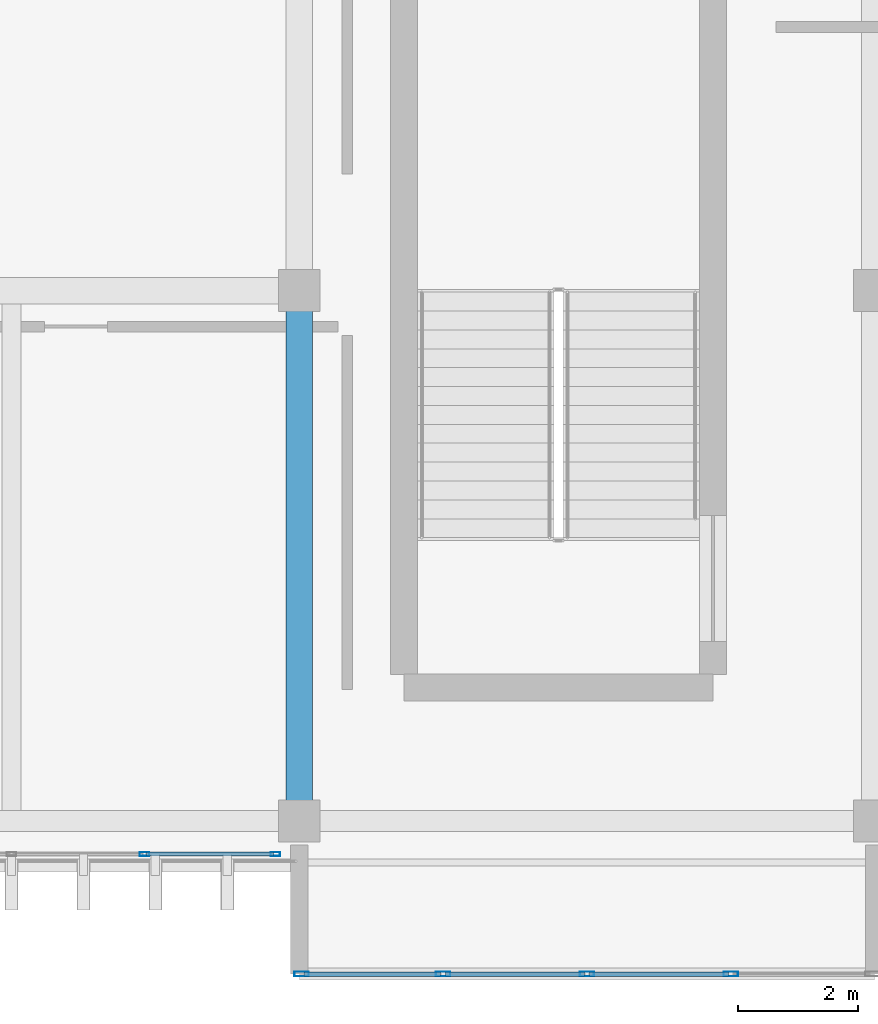
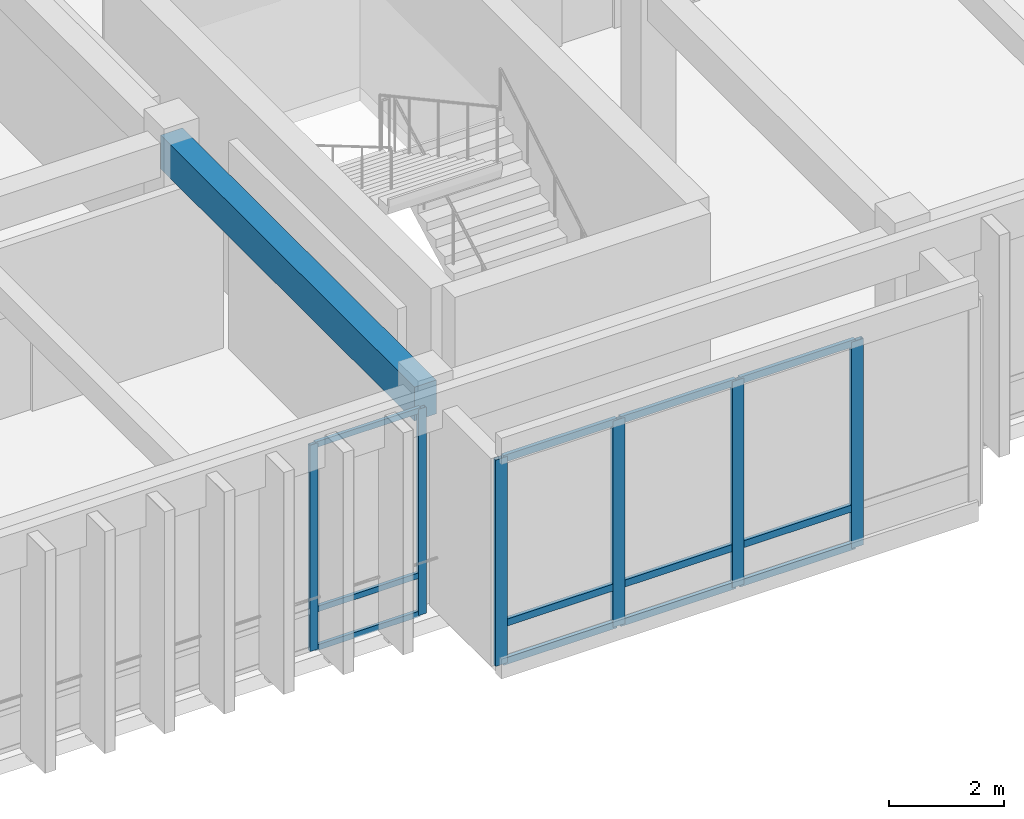
# One storey, part 17 of 133: 18 members, 1 beam, 2 elements without a shape of their own.
"""IFC4 building model written with IfcOpenShell, lengths in metres."""

from ifc_helpers import new_model, si_unit, direction, frame, origin, origin_2d, place, context, subcontext, project, spatial, rectangle, hollow_rectangle, extrude, material, layer, layer_set, material_profile, profile_set, type_object, element, aggregate, save


model = new_model("IFC4")

# Units and contexts
model_context = context("Model", 3, precision=1e-05, world=origin(), true_north=direction((0.0, 1.0)))
body_context = subcontext(model_context, "Body", "Model", "MODEL_VIEW")
ifc_project = project(units=[si_unit("LENGTHUNIT", "METRE"), si_unit("AREAUNIT", "SQUARE_METRE"), si_unit("VOLUMEUNIT", "CUBIC_METRE"), si_unit("PLANEANGLEUNIT", "RADIAN"), si_unit("MASSUNIT", "GRAM", prefix="KILO")], contexts=[model_context])

# Site, building, storey
site_placement = place(None, origin())
site = spatial("IfcSite", under=ifc_project, at=site_placement, CompositionType="ELEMENT")
building_placement = place(site_placement, origin())
building = spatial("IfcBuilding", under=site, at=building_placement, Name="Nakhvara Creek Congress Hotel", CompositionType="ELEMENT")
storey_placement = place(building_placement, frame((0.0, 0.0, 11.39990234375)))
storey = spatial("IfcBuildingStorey", under=building, at=storey_placement, Name="L02", CompositionType="ELEMENT", Elevation=11.39990234375)

# Beam
ifc_material_1 = material(Name="Concrete C40/50", Category="concrete")
ifc_material_profile_1 = material_profile(ifc_material_1, rectangle(XDim=0.43994140625, YDim=0.719970703125, at=origin_2d()), Name="RC-BM 440x720", Category="LoadBearing")
ifc_profile_set_1 = profile_set([ifc_material_profile_1], Name="Concrete C40/50")
beam_type = type_object("IfcBeamType", Name="BM-RC-440X720", PredefinedType="BEAM", material=ifc_profile_set_1)
beam_placement = place(storey_placement, frame((115.199951171875, 0.75, 4.06005859375), z_axis=(0.0, 1.0, 0.0), x_axis=(-1.0, 0.0, 0.0)))
element("IfcBeam", 1, at=beam_placement, inside=storey, type_object=beam_type, Name="Beam B12-L02-1505", PredefinedType="BEAM", context=body_context, shape_type="SweptSolid", body=[
    extrude(rectangle(XDim=0.43994140625, YDim=0.719970703125, at=origin_2d()), origin(), (0.0, 0.0, 1.0), 8.85009765625),
])

# Curtain wall, members
ifc_material_2 = material(Name="Bronze-anodised aluminium AW-6063-T6 and double-silver low-E glass", Category="aluminium")
ifc_layer_1 = layer(ifc_material_2, 0.199951171875)
ifc_layer_set_1 = layer_set([ifc_layer_1], Name="Bronze-anodised aluminium AW-6063-T6 and double-silver low-E glass")
curtain_wall_type_1 = type_object("IfcCurtainWallType", Name="CW-SPA-STICK", PredefinedType="NOTDEFINED", material=ifc_layer_set_1)
curtain_wall_1_placement = place(storey_placement, origin())
curtain_wall_1 = element("IfcCurtainWall", 2, at=curtain_wall_1_placement, inside=storey, type_object=curtain_wall_type_1, Name="Curtain Wall CW095", PredefinedType="NOTDEFINED")
ifc_material_3 = material(Name="Bronze-anodised aluminium AW-6063-T6", Category="aluminium")
ifc_material_profile_2 = material_profile(ifc_material_3, hollow_rectangle(XDim=0.06494140625, YDim=0.159912109375, WallThickness=0.00390625, at=origin_2d()), Name="ALU-MULL 65x160x4", Category="LoadBearing")
ifc_profile_set_2 = profile_set([ifc_material_profile_2], Name="Bronze-anodised aluminium AW-6063-T6")
member_type_1 = type_object("IfcMemberType", Name="CW-MULL-160", PredefinedType="MULLION", material=ifc_profile_set_2)
member_1_placement = place(storey_placement, frame((114.802490234375, 0.199951171875, 0.0), z_axis=(0.0, 0.0, 1.0), x_axis=(0.0, -1.0, 0.0)))
member_1 = element("IfcMember", 3, at=member_1_placement, type_object=member_type_1, Name="CW095 mullion 1", PredefinedType="MULLION", context=body_context, shape_type="SweptSolid", body=[
    extrude(hollow_rectangle(XDim=0.06494140625, YDim=0.159912109375, WallThickness=0.00390625, at=origin_2d()), origin(), (0.0, 0.0, 1.0), 4.39013671875),
])
member_2_placement = place(storey_placement, frame((112.617431640625, 0.199951171875, 0.0), z_axis=(0.0, 0.0, 1.0), x_axis=(0.0, -1.0, 0.0)))
member_2 = element("IfcMember", 4, at=member_2_placement, type_object=member_type_1, Name="CW095 mullion 2", PredefinedType="MULLION", context=body_context, shape_type="SweptSolid", body=[
    extrude(hollow_rectangle(XDim=0.06494140625, YDim=0.159912109375, WallThickness=0.00390625, at=origin_2d()), origin(), (0.0, 0.0, 1.0), 4.39013671875),
])

ifc_layer_2 = layer(ifc_material_2, 0.219970703125)
ifc_layer_set_2 = layer_set([ifc_layer_2], Name="Bronze-anodised aluminium AW-6063-T6 and double-silver low-E glass")
curtain_wall_type_2 = type_object("IfcCurtainWallType", Name="CW-BOX-PROJ", PredefinedType="USERDEFINED", material=ifc_layer_set_2)
curtain_wall_2_placement = place(storey_placement, origin())
curtain_wall_2 = element("IfcCurtainWall", 5, at=curtain_wall_2_placement, inside=storey, type_object=curtain_wall_type_2, Name="Curtain Wall CW089", ObjectType="UNITISED", PredefinedType="USERDEFINED")
ifc_material_profile_3 = material_profile(ifc_material_3, hollow_rectangle(XDim=0.080078125, YDim=0.239990234375, WallThickness=0.0048828125, at=origin_2d()), Name="ALU-MULL 80x240x5", Category="LoadBearing")
ifc_profile_set_3 = profile_set([ifc_material_profile_3], Name="Bronze-anodised aluminium AW-6063-T6")
member_type_2 = type_object("IfcMemberType", Name="CW-MULL-240", PredefinedType="MULLION", material=ifc_profile_set_3)
member_3_placement = place(storey_placement, frame((122.39990234375, -1.800048828125, 0.0), z_axis=(0.0, 0.0, 1.0), x_axis=(0.0, -1.0, 0.0)))
member_3 = element("IfcMember", 6, at=member_3_placement, type_object=member_type_2, Name="CW089 mullion 2", PredefinedType="MULLION", context=body_context, shape_type="SweptSolid", body=[
    extrude(hollow_rectangle(XDim=0.080078125, YDim=0.239990234375, WallThickness=0.0048828125, at=origin_2d()), origin(), (0.0, 0.0, 1.0), 4.39013671875),
])
member_4_placement = place(storey_placement, frame((120.0, -1.800048828125, 0.0), z_axis=(0.0, 0.0, 1.0), x_axis=(0.0, -1.0, 0.0)))
member_4 = element("IfcMember", 7, at=member_4_placement, type_object=member_type_2, Name="CW089 mullion 3", PredefinedType="MULLION", context=body_context, shape_type="SweptSolid", body=[
    extrude(hollow_rectangle(XDim=0.080078125, YDim=0.239990234375, WallThickness=0.0048828125, at=origin_2d()), origin(), (0.0, 0.0, 1.0), 4.39013671875),
])
member_5_placement = place(storey_placement, frame((117.60009765625, -1.800048828125, 0.0), z_axis=(0.0, 0.0, 1.0), x_axis=(0.0, -1.0, 0.0)))
member_5 = element("IfcMember", 8, at=member_5_placement, type_object=member_type_2, Name="CW089 mullion 4", PredefinedType="MULLION", context=body_context, shape_type="SweptSolid", body=[
    extrude(hollow_rectangle(XDim=0.080078125, YDim=0.239990234375, WallThickness=0.0048828125, at=origin_2d()), origin(), (0.0, 0.0, 1.0), 4.39013671875),
])
member_6_placement = place(storey_placement, frame((115.239990234375, -1.800048828125, 0.0), z_axis=(0.0, 0.0, 1.0), x_axis=(0.0, -1.0, 0.0)))
member_6 = element("IfcMember", 9, at=member_6_placement, type_object=member_type_2, Name="CW089 mullion 5", PredefinedType="MULLION", context=body_context, shape_type="SweptSolid", body=[
    extrude(hollow_rectangle(XDim=0.080078125, YDim=0.239990234375, WallThickness=0.0048828125, at=origin_2d()), origin(), (0.0, 0.0, 1.0), 4.39013671875),
])

# Member
ifc_material_profile_4 = material_profile(ifc_material_3, hollow_rectangle(XDim=0.06494140625, YDim=0.1201171875, WallThickness=0.00390625, at=origin_2d()), Name="ALU-TRAN 65x120x4", Category="LoadBearing")
ifc_profile_set_4 = profile_set([ifc_material_profile_4], Name="Bronze-anodised aluminium AW-6063-T6")
member_type_3 = type_object("IfcMemberType", Name="CW-TRAN-120", PredefinedType="USERDEFINED", material=ifc_profile_set_4)
member_7_placement = place(storey_placement, frame((114.77001953125, 0.199951171875, 0.03271484375), z_axis=(-1.0, 0.0, 0.0), x_axis=(0.0, -1.0, 0.0)))
member_7 = element("IfcMember", 10, at=member_7_placement, type_object=member_type_3, Name="CW095 transom 1.1", ObjectType="TRANSOM", PredefinedType="USERDEFINED", context=body_context, shape_type="SweptSolid", body=[
    extrude(hollow_rectangle(XDim=0.06494140625, YDim=0.1201171875, WallThickness=0.00390625, at=origin_2d()), origin(), (0.0, 0.0, 1.0), 2.1201171875),
])

member_8_placement = place(storey_placement, frame((114.77001953125, 0.199951171875, 0.85009765625), z_axis=(-1.0, 0.0, 0.0), x_axis=(0.0, -1.0, 0.0)))
member_8 = element("IfcMember", 11, at=member_8_placement, type_object=member_type_3, Name="CW095 transom 1.2", ObjectType="TRANSOM", PredefinedType="USERDEFINED", context=body_context, shape_type="SweptSolid", body=[
    extrude(hollow_rectangle(XDim=0.06494140625, YDim=0.1201171875, WallThickness=0.00390625, at=origin_2d()), origin(), (0.0, 0.0, 1.0), 2.1201171875),
])

member_9_placement = place(storey_placement, frame((114.77001953125, 0.199951171875, 4.357666015625), z_axis=(-1.0, 0.0, 0.0), x_axis=(0.0, -1.0, 0.0)))
member_9 = element("IfcMember", 12, at=member_9_placement, type_object=member_type_3, Name="CW095 transom 1.3", ObjectType="TRANSOM", PredefinedType="USERDEFINED", context=body_context, shape_type="SweptSolid", body=[
    extrude(hollow_rectangle(XDim=0.06494140625, YDim=0.1201171875, WallThickness=0.00390625, at=origin_2d()), origin(), (0.0, 0.0, 1.0), 2.1201171875),
])

aggregate(curtain_wall_1, [member_1, member_2, member_7, member_8, member_9])

ifc_material_profile_5 = material_profile(ifc_material_3, hollow_rectangle(XDim=0.074951171875, YDim=0.14990234375, WallThickness=0.00390625, at=origin_2d()), Name="ALU-TRAN 75x150x4", Category="LoadBearing")
ifc_profile_set_5 = profile_set([ifc_material_profile_5], Name="Bronze-anodised aluminium AW-6063-T6")
member_type_4 = type_object("IfcMemberType", Name="CW-TRAN-150", PredefinedType="USERDEFINED", material=ifc_profile_set_5)
member_10_placement = place(storey_placement, frame((122.360107421875, -1.800048828125, 0.03759765625), z_axis=(-1.0, 0.0, 0.0), x_axis=(0.0, -1.0, 0.0)))
member_10 = element("IfcMember", 13, at=member_10_placement, type_object=member_type_4, Name="CW089 transom 2.1", ObjectType="TRANSOM", PredefinedType="USERDEFINED", context=body_context, shape_type="SweptSolid", body=[
    extrude(hollow_rectangle(XDim=0.074951171875, YDim=0.14990234375, WallThickness=0.00390625, at=origin_2d()), origin(), (0.0, 0.0, 1.0), 2.320068359375),
])

member_11_placement = place(storey_placement, frame((122.360107421875, -1.800048828125, 0.85009765625), z_axis=(-1.0, 0.0, 0.0), x_axis=(0.0, -1.0, 0.0)))
member_11 = element("IfcMember", 14, at=member_11_placement, type_object=member_type_4, Name="CW089 transom 2.2", ObjectType="TRANSOM", PredefinedType="USERDEFINED", context=body_context, shape_type="SweptSolid", body=[
    extrude(hollow_rectangle(XDim=0.074951171875, YDim=0.14990234375, WallThickness=0.00390625, at=origin_2d()), origin(), (0.0, 0.0, 1.0), 2.320068359375),
])

member_12_placement = place(storey_placement, frame((122.360107421875, -1.800048828125, 4.3525390625), z_axis=(-1.0, 0.0, 0.0), x_axis=(0.0, -1.0, 0.0)))
member_12 = element("IfcMember", 15, at=member_12_placement, type_object=member_type_4, Name="CW089 transom 2.3", ObjectType="TRANSOM", PredefinedType="USERDEFINED", context=body_context, shape_type="SweptSolid", body=[
    extrude(hollow_rectangle(XDim=0.074951171875, YDim=0.14990234375, WallThickness=0.00390625, at=origin_2d()), origin(), (0.0, 0.0, 1.0), 2.320068359375),
])

member_13_placement = place(storey_placement, frame((119.9599609375, -1.800048828125, 0.03759765625), z_axis=(-1.0, 0.0, 0.0), x_axis=(0.0, -1.0, 0.0)))
member_13 = element("IfcMember", 16, at=member_13_placement, type_object=member_type_4, Name="CW089 transom 3.1", ObjectType="TRANSOM", PredefinedType="USERDEFINED", context=body_context, shape_type="SweptSolid", body=[
    extrude(hollow_rectangle(XDim=0.074951171875, YDim=0.14990234375, WallThickness=0.00390625, at=origin_2d()), origin(), (0.0, 0.0, 1.0), 2.320068359375),
])

member_14_placement = place(storey_placement, frame((119.9599609375, -1.800048828125, 0.85009765625), z_axis=(-1.0, 0.0, 0.0), x_axis=(0.0, -1.0, 0.0)))
member_14 = element("IfcMember", 17, at=member_14_placement, type_object=member_type_4, Name="CW089 transom 3.2", ObjectType="TRANSOM", PredefinedType="USERDEFINED", context=body_context, shape_type="SweptSolid", body=[
    extrude(hollow_rectangle(XDim=0.074951171875, YDim=0.14990234375, WallThickness=0.00390625, at=origin_2d()), origin(), (0.0, 0.0, 1.0), 2.320068359375),
])

member_15_placement = place(storey_placement, frame((119.9599609375, -1.800048828125, 4.3525390625), z_axis=(-1.0, 0.0, 0.0), x_axis=(0.0, -1.0, 0.0)))
member_15 = element("IfcMember", 18, at=member_15_placement, type_object=member_type_4, Name="CW089 transom 3.3", ObjectType="TRANSOM", PredefinedType="USERDEFINED", context=body_context, shape_type="SweptSolid", body=[
    extrude(hollow_rectangle(XDim=0.074951171875, YDim=0.14990234375, WallThickness=0.00390625, at=origin_2d()), origin(), (0.0, 0.0, 1.0), 2.320068359375),
])

member_16_placement = place(storey_placement, frame((117.56005859375, -1.800048828125, 0.03759765625), z_axis=(-1.0, 0.0, 0.0), x_axis=(0.0, -1.0, 0.0)))
member_16 = element("IfcMember", 19, at=member_16_placement, type_object=member_type_4, Name="CW089 transom 4.1", ObjectType="TRANSOM", PredefinedType="USERDEFINED", context=body_context, shape_type="SweptSolid", body=[
    extrude(hollow_rectangle(XDim=0.074951171875, YDim=0.14990234375, WallThickness=0.00390625, at=origin_2d()), origin(), (0.0, 0.0, 1.0), 2.280029296875),
])

member_17_placement = place(storey_placement, frame((117.56005859375, -1.800048828125, 0.85009765625), z_axis=(-1.0, 0.0, 0.0), x_axis=(0.0, -1.0, 0.0)))
member_17 = element("IfcMember", 20, at=member_17_placement, type_object=member_type_4, Name="CW089 transom 4.2", ObjectType="TRANSOM", PredefinedType="USERDEFINED", context=body_context, shape_type="SweptSolid", body=[
    extrude(hollow_rectangle(XDim=0.074951171875, YDim=0.14990234375, WallThickness=0.00390625, at=origin_2d()), origin(), (0.0, 0.0, 1.0), 2.280029296875),
])

member_18_placement = place(storey_placement, frame((117.56005859375, -1.800048828125, 4.3525390625), z_axis=(-1.0, 0.0, 0.0), x_axis=(0.0, -1.0, 0.0)))
member_18 = element("IfcMember", 21, at=member_18_placement, type_object=member_type_4, Name="CW089 transom 4.3", ObjectType="TRANSOM", PredefinedType="USERDEFINED", context=body_context, shape_type="SweptSolid", body=[
    extrude(hollow_rectangle(XDim=0.074951171875, YDim=0.14990234375, WallThickness=0.00390625, at=origin_2d()), origin(), (0.0, 0.0, 1.0), 2.280029296875),
])

aggregate(curtain_wall_2, [member_3, member_4, member_5, member_6, member_10, member_11, member_12, member_13, member_14, member_15, member_16, member_17, member_18])

save(model, "model.ifc")
